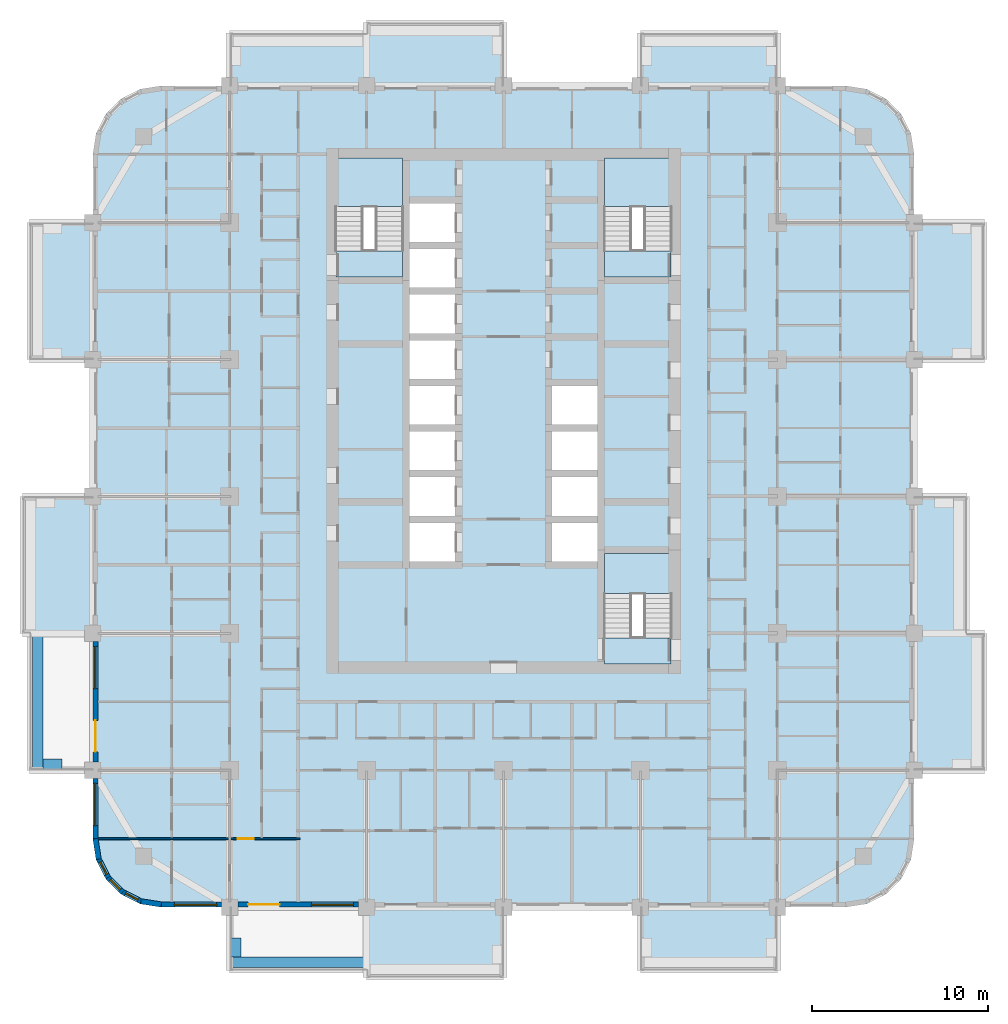
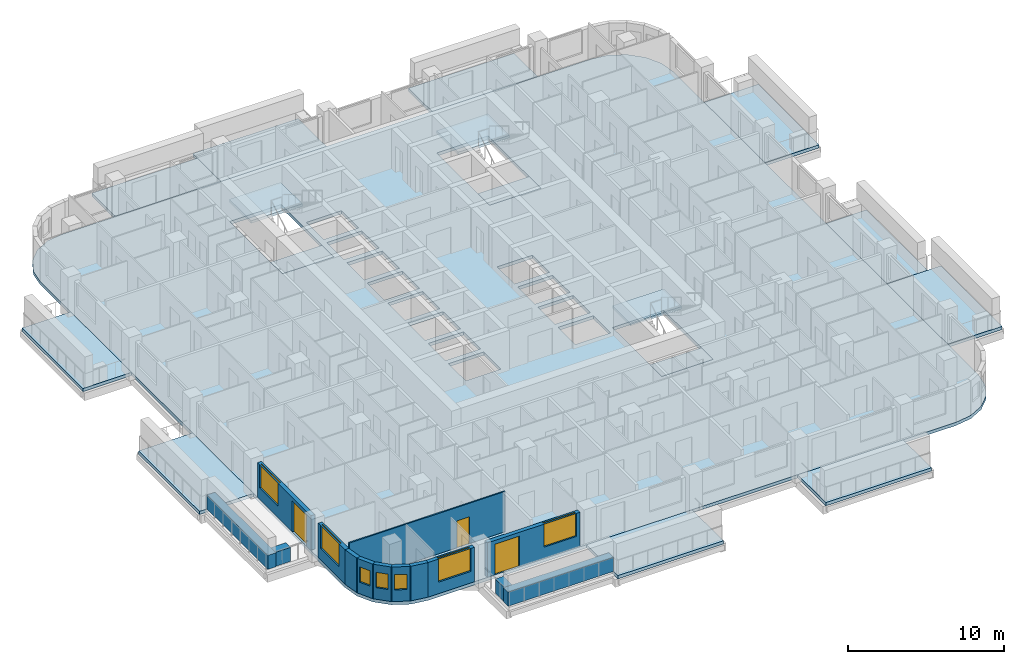
# One storey, part 2 of 18: 17 slabs, 14 walls, 7 windows, 3 doors, 10 openings, 3 elements without a shape of their own.
"""IFC4 building model written with IfcOpenShell, lengths in metres."""

from ifc_helpers import new_model, si_unit, direction, frame, frame_2d, origin, place, context, subcontext, project, spatial, polyline, rectangle, outline, extrude, material, layer, layer_set, type_object, element, fill, aggregate, save


model = new_model("IFC4")

# Units and contexts
model_context = context("Model", 3, precision=1e-05, world=origin(), true_north=direction((0.0, 1.0)))
body_context = subcontext(model_context, "Body", "Model", "MODEL_VIEW")
ifc_project = project(units=[si_unit("LENGTHUNIT", "METRE"), si_unit("AREAUNIT", "SQUARE_METRE"), si_unit("VOLUMEUNIT", "CUBIC_METRE"), si_unit("PLANEANGLEUNIT", "RADIAN"), si_unit("MASSUNIT", "GRAM", prefix="KILO")], contexts=[model_context])

# Site, building, storey
site_placement = place(None, origin())
site = spatial("IfcSite", under=ifc_project, at=site_placement, CompositionType="ELEMENT")
building_placement = place(site_placement, origin())
building = spatial("IfcBuilding", under=site, at=building_placement, Name="Ludao Terraces", CompositionType="ELEMENT")
storey_placement = place(building_placement, frame((0.0, 0.0, 64.800048828125)))
storey = spatial("IfcBuildingStorey", under=building, at=storey_placement, Name="L17", CompositionType="ELEMENT", Elevation=64.800048828125)

# Slabs
ifc_material_1 = material(Name="Concrete C40", Category="concrete")
ifc_layer_1 = layer(ifc_material_1, 0.25)
ifc_layer_set_1 = layer_set([ifc_layer_1], Name="Balcony slab 250 C40")
slab_type_1 = type_object("IfcSlabType", Name="Balcony slab 250 C40", PredefinedType="USERDEFINED", material=ifc_layer_set_1)
slab_1_placement = place(storey_placement, frame((0.0, 0.0, -0.25)))
element("IfcSlab", 1, at=slab_1_placement, inside=storey, type_object=slab_type_1, Name="Balcony L17 S2", ObjectType="BALCONY", PredefinedType="USERDEFINED", context=body_context, shape_type="SweptSolid", body=[
    extrude(outline(polyline([(77.199951171875, 37.60009765625), (85.0, 37.60009765625), (85.0, 41.60009765625), (77.199951171875, 41.60009765625), (77.199951171875, 37.60009765625)])), origin(), (0.0, 0.0, 1.0), 0.25),
])
slab_2_placement = place(storey_placement, frame((0.0, 0.0, -0.25)))
element("IfcSlab", 2, at=slab_2_placement, inside=storey, type_object=slab_type_1, Name="Balcony L17 S4", ObjectType="BALCONY", PredefinedType="USERDEFINED", context=body_context, shape_type="SweptSolid", body=[
    extrude(outline(polyline([(92.800048828125, 38.0), (100.60009765625, 38.0), (100.60009765625, 41.60009765625), (92.800048828125, 41.60009765625), (92.800048828125, 38.0)])), origin(), (0.0, 0.0, 1.0), 0.25),
])
slab_3_placement = place(storey_placement, frame((0.0, 0.0, -0.25)))
element("IfcSlab", 3, at=slab_3_placement, inside=storey, type_object=slab_type_1, Name="Balcony L17 E1", ObjectType="BALCONY", PredefinedType="USERDEFINED", context=body_context, shape_type="SweptSolid", body=[
    extrude(outline(polyline([(108.39990234375, 49.39990234375), (112.39990234375, 49.39990234375), (112.39990234375, 57.199951171875), (108.39990234375, 57.199951171875), (108.39990234375, 49.39990234375)])), origin(), (0.0, 0.0, 1.0), 0.25),
])
slab_4_placement = place(storey_placement, frame((0.0, 0.0, -0.25)))
element("IfcSlab", 4, at=slab_4_placement, inside=storey, type_object=slab_type_1, Name="Balcony L17 E2", ObjectType="BALCONY", PredefinedType="USERDEFINED", context=body_context, shape_type="SweptSolid", body=[
    extrude(outline(polyline([(108.39990234375, 57.199951171875), (111.39990234375, 57.199951171875), (111.39990234375, 65.0), (108.39990234375, 65.0), (108.39990234375, 57.199951171875)])), origin(), (0.0, 0.0, 1.0), 0.25),
])
slab_5_placement = place(storey_placement, frame((0.0, 0.0, -0.25)))
element("IfcSlab", 5, at=slab_5_placement, inside=storey, type_object=slab_type_1, Name="Balcony L17 E4", ObjectType="BALCONY", PredefinedType="USERDEFINED", context=body_context, shape_type="SweptSolid", body=[
    extrude(outline(polyline([(108.39990234375, 72.800048828125), (112.39990234375, 72.800048828125), (112.39990234375, 80.60009765625), (108.39990234375, 80.60009765625), (108.39990234375, 72.800048828125)])), origin(), (0.0, 0.0, 1.0), 0.25),
])
slab_6_placement = place(storey_placement, frame((0.0, 0.0, -0.25)))
element("IfcSlab", 6, at=slab_6_placement, inside=storey, type_object=slab_type_1, Name="Balcony L17 N1", ObjectType="BALCONY", PredefinedType="USERDEFINED", context=body_context, shape_type="SweptSolid", body=[
    extrude(outline(polyline([(69.39990234375, 88.39990234375), (77.199951171875, 88.39990234375), (77.199951171875, 91.39990234375), (69.39990234375, 91.39990234375), (69.39990234375, 88.39990234375)])), origin(), (0.0, 0.0, 1.0), 0.25),
])
slab_7_placement = place(storey_placement, frame((0.0, 0.0, -0.25)))
element("IfcSlab", 7, at=slab_7_placement, inside=storey, type_object=slab_type_1, Name="Balcony L17 N2", ObjectType="BALCONY", PredefinedType="USERDEFINED", context=body_context, shape_type="SweptSolid", body=[
    extrude(outline(polyline([(77.199951171875, 88.39990234375), (85.0, 88.39990234375), (85.0, 92.0), (77.199951171875, 92.0), (77.199951171875, 88.39990234375)])), origin(), (0.0, 0.0, 1.0), 0.25),
])
slab_8_placement = place(storey_placement, frame((0.0, 0.0, -0.25)))
element("IfcSlab", 8, at=slab_8_placement, inside=storey, type_object=slab_type_1, Name="Balcony L17 N4", ObjectType="BALCONY", PredefinedType="USERDEFINED", context=body_context, shape_type="SweptSolid", body=[
    extrude(outline(polyline([(92.800048828125, 88.39990234375), (100.60009765625, 88.39990234375), (100.60009765625, 91.39990234375), (92.800048828125, 91.39990234375), (92.800048828125, 88.39990234375)])), origin(), (0.0, 0.0, 1.0), 0.25),
])
slab_9_placement = place(storey_placement, frame((0.0, 0.0, -0.25)))
element("IfcSlab", 9, at=slab_9_placement, inside=storey, type_object=slab_type_1, Name="Balcony L17 W2", ObjectType="BALCONY", PredefinedType="USERDEFINED", context=body_context, shape_type="SweptSolid", body=[
    extrude(outline(polyline([(57.60009765625, 57.199951171875), (61.60009765625, 57.199951171875), (61.60009765625, 65.0), (57.60009765625, 65.0), (57.60009765625, 57.199951171875)])), origin(), (0.0, 0.0, 1.0), 0.25),
])
slab_10_placement = place(storey_placement, frame((0.0, 0.0, -0.25)))
element("IfcSlab", 10, at=slab_10_placement, inside=storey, type_object=slab_type_1, Name="Balcony L17 W4", ObjectType="BALCONY", PredefinedType="USERDEFINED", context=body_context, shape_type="SweptSolid", body=[
    extrude(outline(polyline([(58.0, 72.800048828125), (61.60009765625, 72.800048828125), (61.60009765625, 80.60009765625), (58.0, 80.60009765625), (58.0, 72.800048828125)])), origin(), (0.0, 0.0, 1.0), 0.25),
])
ifc_layer_2 = layer(ifc_material_1, 0.25)
ifc_layer_set_2 = layer_set([ifc_layer_2], Name="Floor slab 250 C40")
slab_type_2 = type_object("IfcSlabType", Name="Floor slab 250 C40", PredefinedType="FLOOR", material=ifc_layer_set_2)
slab_11_placement = place(storey_placement, frame((0.0, 0.0, -0.25)))
element("IfcSlab", 11, at=slab_11_placement, inside=storey, type_object=slab_type_2, Name="Slab L17", PredefinedType="FLOOR", context=body_context, shape_type="SweptSolid", body=[
    extrude(outline(polyline([(104.5, 41.60009765625), (105.705078125, 41.790771484375), (106.79248046875, 42.3447265625), (107.6552734375, 43.20751953125), (108.209228515625, 44.294921875), (108.39990234375, 45.5), (108.39990234375, 84.5), (108.209228515625, 85.705078125), (107.6552734375, 86.79248046875), (106.79248046875, 87.6552734375), (105.705078125, 88.209228515625), (104.5, 88.39990234375), (65.5, 88.39990234375), (64.294921875, 88.209228515625), (63.20751953125, 87.6552734375), (62.3447265625, 86.79248046875), (61.790771484375, 85.705078125), (61.60009765625, 84.5), (61.60009765625, 45.5), (61.790771484375, 44.294921875), (62.3447265625, 43.20751953125), (63.20751953125, 42.3447265625), (64.294921875, 41.790771484375), (65.5, 41.60009765625), (104.5, 41.60009765625)]), holes=[polyline([(79.64990234375, 61.300048828125), (82.25, 61.300048828125), (82.25, 63.5), (79.64990234375, 63.5), (79.64990234375, 61.300048828125)]), polyline([(79.64990234375, 63.89990234375), (82.25, 63.89990234375), (82.25, 66.10009765625), (79.64990234375, 66.10009765625), (79.64990234375, 63.89990234375)]), polyline([(79.64990234375, 66.5), (82.25, 66.5), (82.25, 68.699951171875), (79.64990234375, 68.699951171875), (79.64990234375, 66.5)]), polyline([(79.64990234375, 69.10009765625), (82.25, 69.10009765625), (82.25, 71.300048828125), (79.64990234375, 71.300048828125), (79.64990234375, 69.10009765625)]), polyline([(79.64990234375, 71.699951171875), (82.25, 71.699951171875), (82.25, 73.89990234375), (79.64990234375, 73.89990234375), (79.64990234375, 71.699951171875)]), polyline([(79.64990234375, 74.300048828125), (82.25, 74.300048828125), (82.25, 76.5), (79.64990234375, 76.5), (79.64990234375, 74.300048828125)]), polyline([(79.64990234375, 76.89990234375), (82.25, 76.89990234375), (82.25, 79.10009765625), (79.64990234375, 79.10009765625), (79.64990234375, 76.89990234375)]), polyline([(79.64990234375, 79.5), (82.25, 79.5), (82.25, 81.699951171875), (79.64990234375, 81.699951171875), (79.64990234375, 79.5)]), polyline([(87.75, 61.300048828125), (90.35009765625, 61.300048828125), (90.35009765625, 63.5), (87.75, 63.5), (87.75, 61.300048828125)]), polyline([(87.75, 63.89990234375), (90.35009765625, 63.89990234375), (90.35009765625, 66.10009765625), (87.75, 66.10009765625), (87.75, 63.89990234375)]), polyline([(87.75, 66.5), (90.35009765625, 66.5), (90.35009765625, 68.699951171875), (87.75, 68.699951171875), (87.75, 66.5)]), polyline([(87.75, 69.10009765625), (90.35009765625, 69.10009765625), (90.35009765625, 71.300048828125), (87.75, 71.300048828125), (87.75, 69.10009765625)]), polyline([(75.449951171875, 77.5), (79.25, 77.5), (79.25, 84.239990234375), (75.449951171875, 84.239990234375), (75.449951171875, 77.5)]), polyline([(90.75, 77.5), (94.550048828125, 77.5), (94.550048828125, 84.239990234375), (90.75, 84.239990234375), (90.75, 77.5)]), polyline([(90.75, 55.449951171875), (94.550048828125, 55.449951171875), (94.550048828125, 61.75), (90.75, 61.75), (90.75, 55.449951171875)])]), origin(), (0.0, 0.0, 1.0), 0.25),
])

# Stair, slabs
stair_type = type_object("IfcStairType", Name="INT Stair", PredefinedType="HALF_TURN_STAIR", material=ifc_material_1)
stair_1_placement = place(storey_placement, origin())
stair_1 = element("IfcStair", 12, at=stair_1_placement, inside=storey, type_object=stair_type, Name="EXIT STAIR 1", PredefinedType="HALF_TURN_STAIR")
ifc_layer_3 = layer(ifc_material_1, 0.199951171875)
ifc_layer_set_3 = layer_set([ifc_layer_3], Name="INT Stair landing 200")
slab_type_3 = type_object("IfcSlabType", Name="INT Stair landing 200", PredefinedType="LANDING", material=ifc_layer_set_3)
slab_12_placement = place(storey_placement, frame((0.0, 0.0, 1.5)))
slab_12 = element("IfcSlab", 13, at=slab_12_placement, type_object=slab_type_3, Name="ST1 landing 1", PredefinedType="LANDING", context=body_context, shape_type="SweptSolid", body=[
    extrude(outline(polyline([(75.449951171875, 81.52001953125), (79.25, 81.52001953125), (79.25, 84.300048828125), (75.449951171875, 84.300048828125), (75.449951171875, 81.52001953125)])), origin(), (0.0, 0.0, 1.0), 0.199951171875),
])
slab_13_placement = place(storey_placement, frame((0.0, 0.0, -0.199951171875)))
slab_13 = element("IfcSlab", 14, at=slab_13_placement, type_object=slab_type_3, Name="ST1 landing 2", PredefinedType="LANDING", context=body_context, shape_type="SweptSolid", body=[
    extrude(outline(polyline([(75.449951171875, 77.5), (79.25, 77.5), (79.25, 79.0), (75.449951171875, 79.0), (75.449951171875, 77.5)])), origin(), (0.0, 0.0, 1.0), 0.199951171875),
])
aggregate(stair_1, [slab_12, slab_13])

stair_2_placement = place(storey_placement, origin())
stair_2 = element("IfcStair", 15, at=stair_2_placement, inside=storey, type_object=stair_type, Name="EXIT STAIR 2", PredefinedType="HALF_TURN_STAIR")
slab_14_placement = place(storey_placement, frame((0.0, 0.0, 1.5)))
slab_14 = element("IfcSlab", 16, at=slab_14_placement, type_object=slab_type_3, Name="ST2 landing 1", PredefinedType="LANDING", context=body_context, shape_type="SweptSolid", body=[
    extrude(outline(polyline([(90.75, 81.52001953125), (94.550048828125, 81.52001953125), (94.550048828125, 84.300048828125), (90.75, 84.300048828125), (90.75, 81.52001953125)])), origin(), (0.0, 0.0, 1.0), 0.199951171875),
])
slab_15_placement = place(storey_placement, frame((0.0, 0.0, -0.199951171875)))
slab_15 = element("IfcSlab", 17, at=slab_15_placement, type_object=slab_type_3, Name="ST2 landing 2", PredefinedType="LANDING", context=body_context, shape_type="SweptSolid", body=[
    extrude(outline(polyline([(90.75, 77.5), (94.550048828125, 77.5), (94.550048828125, 79.0), (90.75, 79.0), (90.75, 77.5)])), origin(), (0.0, 0.0, 1.0), 0.199951171875),
])
aggregate(stair_2, [slab_14, slab_15])

stair_3_placement = place(storey_placement, origin())
stair_3 = element("IfcStair", 18, at=stair_3_placement, inside=storey, type_object=stair_type, Name="EXIT STAIR 3", PredefinedType="HALF_TURN_STAIR")
slab_16_placement = place(storey_placement, frame((0.0, 0.0, 1.5)))
slab_16 = element("IfcSlab", 19, at=slab_16_placement, type_object=slab_type_3, Name="ST3 landing 1", PredefinedType="LANDING", context=body_context, shape_type="SweptSolid", body=[
    extrude(outline(polyline([(90.75, 59.469970703125), (94.550048828125, 59.469970703125), (94.550048828125, 61.75), (90.75, 61.75), (90.75, 59.469970703125)])), origin(), (0.0, 0.0, 1.0), 0.199951171875),
])
slab_17_placement = place(storey_placement, frame((0.0, 0.0, -0.199951171875)))
slab_17 = element("IfcSlab", 20, at=slab_17_placement, type_object=slab_type_3, Name="ST3 landing 2", PredefinedType="LANDING", context=body_context, shape_type="SweptSolid", body=[
    extrude(outline(polyline([(90.75, 55.449951171875), (94.550048828125, 55.449951171875), (94.550048828125, 56.949951171875), (90.75, 56.949951171875), (90.75, 55.449951171875)])), origin(), (0.0, 0.0, 1.0), 0.199951171875),
])
aggregate(stair_3, [slab_16, slab_17])

# Walls
ifc_layer_4 = layer(ifc_material_1, 0.60009765625)
ifc_layer_set_4 = layer_set([ifc_layer_4], Name="ENV Planter trough 600")
wall_type_1 = type_object("IfcWallType", Name="ENV Planter trough 600", PredefinedType="USERDEFINED", material=ifc_layer_set_4)
wall_1_placement = place(storey_placement, frame((69.39990234375, 38.449951171875, 0.0), z_axis=(0.0, 0.0, 1.0), x_axis=(1.0, 0.0, 0.0)))
element("IfcWall", 21, at=wall_1_placement, inside=storey, type_object=wall_type_1, Name="PL-L17-S1", ObjectType="PLANTER", PredefinedType="USERDEFINED", context=body_context, shape_type="SweptSolid", body=[
    extrude(rectangle(XDim=7.800048828125, YDim=0.60009765625, at=frame_2d((3.89990234375, 0.0))), origin(), (0.0, 0.0, 1.0), 1.099853515625),
])
wall_2_placement = place(storey_placement, frame((69.75, 38.75, 0.0), z_axis=(0.0, 0.0, 1.0), x_axis=(0.0, 1.0, 0.0)))
element("IfcWall", 22, at=wall_2_placement, inside=storey, type_object=wall_type_1, Name="PL-L17-S1-SA", ObjectType="PLANTER", PredefinedType="USERDEFINED", context=body_context, shape_type="SweptSolid", body=[
    extrude(rectangle(XDim=1.10009765625, YDim=0.60009765625, at=frame_2d((0.550048828125, 0.0))), origin(), (0.0, 0.0, 1.0), 1.099853515625),
])
wall_3_placement = place(storey_placement, frame((58.449951171875, 49.39990234375, 0.0), z_axis=(0.0, 0.0, 1.0), x_axis=(0.0, 1.0, 0.0)))
element("IfcWall", 23, at=wall_3_placement, inside=storey, type_object=wall_type_1, Name="PL-L17-W1", ObjectType="PLANTER", PredefinedType="USERDEFINED", context=body_context, shape_type="SweptSolid", body=[
    extrude(rectangle(XDim=7.800048828125, YDim=0.60009765625, at=frame_2d((3.89990234375, 0.0))), origin(), (0.0, 0.0, 1.0), 1.099853515625),
])
wall_4_placement = place(storey_placement, frame((58.75, 49.75, 0.0), z_axis=(0.0, 0.0, 1.0), x_axis=(1.0, 0.0, 0.0)))
element("IfcWall", 24, at=wall_4_placement, inside=storey, type_object=wall_type_1, Name="PL-L17-W1-SA", ObjectType="PLANTER", PredefinedType="USERDEFINED", context=body_context, shape_type="SweptSolid", body=[
    extrude(rectangle(XDim=1.10009765625, YDim=0.60009765625, at=frame_2d((0.550048828125, 0.0))), origin(), (0.0, 0.0, 1.0), 1.099853515625),
])

# Wall, opening, window
ifc_material_2 = material(Name="Granite cladding", Category="masonry")
ifc_layer_5 = layer(ifc_material_2, 0.0400390625, Category="stone")
ifc_material_3 = material(Name="Mineral wool")
ifc_layer_6 = layer(ifc_material_3, 0.06005859375)
ifc_layer_7 = layer(ifc_material_1, 0.199951171875, Category="concrete")
ifc_layer_set_5 = layer_set([ifc_layer_5, ifc_layer_6, ifc_layer_7], Name="ENV Stone-clad wall 300")
wall_type_2 = type_object("IfcWallType", Name="ENV Stone-clad wall 300", PredefinedType="SOLIDWALL", material=ifc_layer_set_5)
wall_5_placement = place(storey_placement, frame((65.5, 41.75, 0.0), z_axis=(0.0, 0.0, 1.0), x_axis=(1.0, 0.0, 0.0)))
wall_5 = element("IfcWall", 25, at=wall_5_placement, inside=storey, type_object=wall_type_2, Name="EW-L17-S1", PredefinedType="SOLIDWALL", context=body_context, shape_type="SweptSolid", body=[
    extrude(rectangle(XDim=3.425048828125, YDim=0.300048828125, at=frame_2d((1.71240234375, 0.0))), origin(), (0.0, 0.0, 1.0), 2.699951171875),
])
opening_1_placement = place(wall_5_placement, frame((0.75, 0.0, 0.89990234375)))
opening_1 = element("IfcOpeningElement", 26, at=opening_1_placement, cuts=wall_5, Name="Opening W1", PredefinedType="OPENING", context=body_context, shape_type="SweptSolid", body=[
    extrude(rectangle(XDim=2.39990234375, YDim=1.800048828125, at=frame_2d((1.199951171875, 0.89990234375))), frame((0.0, 0.16015625, 0.0), z_axis=(0.0, -1.0, 0.0), x_axis=(1.0, 0.0, 0.0)), (0.0, 0.0, 1.0), 0.320068359375),
])
ifc_material_4 = material(Name="Clear glass in aluminium frame", Category="aluminium")
ifc_layer_8 = layer(ifc_material_4, 0.06005859375)
ifc_layer_set_6 = layer_set([ifc_layer_8], Name="ENV Window W1 2400x1800")
window_type_1 = type_object("IfcWindowType", Name="ENV Window W1 2400x1800", PartitioningType="DOUBLE_PANEL_VERTICAL", PredefinedType="WINDOW", material=ifc_layer_set_6)
window_1_placement = place(opening_1_placement, origin())
window_1 = element("IfcWindow", 27, at=window_1_placement, inside=storey, type_object=window_type_1, Name="W-L17-S1-1", OverallHeight=1.800048828125, OverallWidth=2.39990234375, PartitioningType="DOUBLE_PANEL_VERTICAL", PredefinedType="WINDOW", context=body_context, shape_type="SweptSolid", body=[
    extrude(rectangle(XDim=2.39990234375, YDim=1.800048828125, at=frame_2d((1.199951171875, 0.89990234375))), frame((0.0, 0.030029296875, 0.0), z_axis=(0.0, -1.0, 0.0), x_axis=(1.0, 0.0, 0.0)), (0.0, 0.0, 1.0), 0.06005859375),
])
fill(opening_1, window_1)

# Wall, openings, door, window
wall_6_placement = place(storey_placement, frame((69.875, 41.75, 0.0), z_axis=(0.0, 0.0, 1.0), x_axis=(1.0, 0.0, 0.0)))
wall_6 = element("IfcWall", 28, at=wall_6_placement, inside=storey, type_object=wall_type_2, Name="EW-L17-S2", PredefinedType="SOLIDWALL", context=body_context, shape_type="SweptSolid", body=[
    extrude(rectangle(XDim=6.85009765625, YDim=0.300048828125, at=frame_2d((3.425048828125, 0.0))), origin(), (0.0, 0.0, 1.0), 2.699951171875),
])
opening_2_placement = place(wall_6_placement, frame((0.574951171875, 0.0, 0.0)))
opening_2 = element("IfcOpeningElement", 29, at=opening_2_placement, cuts=wall_6, Name="Opening BD", PredefinedType="OPENING", context=body_context, shape_type="SweptSolid", body=[
    extrude(rectangle(XDim=1.800048828125, YDim=2.39990234375, at=frame_2d((0.89990234375, 1.199951171875))), frame((0.0, 0.16015625, 0.0), z_axis=(0.0, -1.0, 0.0), x_axis=(1.0, 0.0, 0.0)), (0.0, 0.0, 1.0), 0.320068359375),
])
opening_3_placement = place(wall_6_placement, frame((4.175048828125, 0.0, 0.89990234375)))
opening_3 = element("IfcOpeningElement", 30, at=opening_3_placement, cuts=wall_6, Name="Opening W1", PredefinedType="OPENING", context=body_context, shape_type="SweptSolid", body=[
    extrude(rectangle(XDim=2.39990234375, YDim=1.800048828125, at=frame_2d((1.199951171875, 0.89990234375))), frame((0.0, 0.16015625, 0.0), z_axis=(0.0, -1.0, 0.0), x_axis=(1.0, 0.0, 0.0)), (0.0, 0.0, 1.0), 0.320068359375),
])
ifc_material_5 = material(Name="Aluminium glazed door", Category="aluminium")
ifc_layer_9 = layer(ifc_material_5, 0.06005859375)
ifc_layer_set_7 = layer_set([ifc_layer_9], Name="ENV Balcony door BD 1800x2400")
door_type_1 = type_object("IfcDoorType", Name="ENV Balcony door BD 1800x2400", OperationType="DOUBLE_DOOR_SINGLE_SWING", PredefinedType="DOOR", material=ifc_layer_set_7)
door_1_placement = place(opening_2_placement, origin())
door_1 = element("IfcDoor", 31, at=door_1_placement, inside=storey, type_object=door_type_1, Name="BD-L17-S2-1", OperationType="DOUBLE_DOOR_SINGLE_SWING", OverallHeight=2.39990234375, OverallWidth=1.800048828125, PredefinedType="DOOR", context=body_context, shape_type="SweptSolid", body=[
    extrude(rectangle(XDim=1.800048828125, YDim=2.39990234375, at=frame_2d((0.89990234375, 1.199951171875))), frame((0.0, 0.02490234375, 0.0), z_axis=(0.0, -1.0, 0.0), x_axis=(1.0, 0.0, 0.0)), (0.0, 0.0, 1.0), 0.050048828125),
])
fill(opening_2, door_1)
window_2_placement = place(opening_3_placement, origin())
window_2 = element("IfcWindow", 32, at=window_2_placement, inside=storey, type_object=window_type_1, Name="W-L17-S2-2", OverallHeight=1.800048828125, OverallWidth=2.39990234375, PartitioningType="DOUBLE_PANEL_VERTICAL", PredefinedType="WINDOW", context=body_context, shape_type="SweptSolid", body=[
    extrude(rectangle(XDim=2.39990234375, YDim=1.800048828125, at=frame_2d((1.199951171875, 0.89990234375))), frame((0.0, 0.030029296875, 0.0), z_axis=(0.0, -1.0, 0.0), x_axis=(1.0, 0.0, 0.0)), (0.0, 0.0, 1.0), 0.06005859375),
])
fill(opening_3, window_2)

# Wall, opening, window
wall_7_placement = place(storey_placement, frame((61.75, 45.5, 0.0), z_axis=(0.0, 0.0, 1.0), x_axis=(0.0, 1.0, 0.0)))
wall_7 = element("IfcWall", 33, at=wall_7_placement, inside=storey, type_object=wall_type_2, Name="EW-L17-W1", PredefinedType="SOLIDWALL", context=body_context, shape_type="SweptSolid", body=[
    extrude(rectangle(XDim=3.425048828125, YDim=0.300048828125, at=frame_2d((1.71240234375, 0.0))), origin(), (0.0, 0.0, 1.0), 2.699951171875),
])
opening_4_placement = place(wall_7_placement, frame((0.75, 0.0, 0.89990234375)))
opening_4 = element("IfcOpeningElement", 34, at=opening_4_placement, cuts=wall_7, Name="Opening W1", PredefinedType="OPENING", context=body_context, shape_type="SweptSolid", body=[
    extrude(rectangle(XDim=2.39990234375, YDim=1.800048828125, at=frame_2d((1.199951171875, 0.89990234375))), frame((0.0, 0.16015625, 0.0), z_axis=(0.0, -1.0, 0.0), x_axis=(1.0, 0.0, 0.0)), (0.0, 0.0, 1.0), 0.320068359375),
])
window_3_placement = place(opening_4_placement, origin())
window_3 = element("IfcWindow", 35, at=window_3_placement, inside=storey, type_object=window_type_1, Name="W-L17-W1-1", OverallHeight=1.800048828125, OverallWidth=2.39990234375, PartitioningType="DOUBLE_PANEL_VERTICAL", PredefinedType="WINDOW", context=body_context, shape_type="SweptSolid", body=[
    extrude(rectangle(XDim=2.39990234375, YDim=1.800048828125, at=frame_2d((1.199951171875, 0.89990234375))), frame((0.0, 0.030029296875, 0.0), z_axis=(0.0, -1.0, 0.0), x_axis=(1.0, 0.0, 0.0)), (0.0, 0.0, 1.0), 0.06005859375),
])
fill(opening_4, window_3)

# Wall, openings, door, window
wall_8_placement = place(storey_placement, frame((61.75, 49.875, 0.0), z_axis=(0.0, 0.0, 1.0), x_axis=(0.0, 1.0, 0.0)))
wall_8 = element("IfcWall", 36, at=wall_8_placement, inside=storey, type_object=wall_type_2, Name="EW-L17-W2", PredefinedType="SOLIDWALL", context=body_context, shape_type="SweptSolid", body=[
    extrude(rectangle(XDim=6.85009765625, YDim=0.300048828125, at=frame_2d((3.425048828125, 0.0))), origin(), (0.0, 0.0, 1.0), 2.699951171875),
])
opening_5_placement = place(wall_8_placement, frame((0.574951171875, 0.0, 0.0)))
opening_5 = element("IfcOpeningElement", 37, at=opening_5_placement, cuts=wall_8, Name="Opening BD", PredefinedType="OPENING", context=body_context, shape_type="SweptSolid", body=[
    extrude(rectangle(XDim=1.800048828125, YDim=2.39990234375, at=frame_2d((0.89990234375, 1.199951171875))), frame((0.0, 0.16015625, 0.0), z_axis=(0.0, -1.0, 0.0), x_axis=(1.0, 0.0, 0.0)), (0.0, 0.0, 1.0), 0.320068359375),
])
opening_6_placement = place(wall_8_placement, frame((4.175048828125, 0.0, 0.89990234375)))
opening_6 = element("IfcOpeningElement", 38, at=opening_6_placement, cuts=wall_8, Name="Opening W1", PredefinedType="OPENING", context=body_context, shape_type="SweptSolid", body=[
    extrude(rectangle(XDim=2.39990234375, YDim=1.800048828125, at=frame_2d((1.199951171875, 0.89990234375))), frame((0.0, 0.16015625, 0.0), z_axis=(0.0, -1.0, 0.0), x_axis=(1.0, 0.0, 0.0)), (0.0, 0.0, 1.0), 0.320068359375),
])
door_2_placement = place(opening_5_placement, origin())
door_2 = element("IfcDoor", 39, at=door_2_placement, inside=storey, type_object=door_type_1, Name="BD-L17-W2-1", OperationType="DOUBLE_DOOR_SINGLE_SWING", OverallHeight=2.39990234375, OverallWidth=1.800048828125, PredefinedType="DOOR", context=body_context, shape_type="SweptSolid", body=[
    extrude(rectangle(XDim=1.800048828125, YDim=2.39990234375, at=frame_2d((0.89990234375, 1.199951171875))), frame((0.0, 0.02490234375, 0.0), z_axis=(0.0, -1.0, 0.0), x_axis=(1.0, 0.0, 0.0)), (0.0, 0.0, 1.0), 0.050048828125),
])
fill(opening_5, door_2)
window_4_placement = place(opening_6_placement, origin())
window_4 = element("IfcWindow", 40, at=window_4_placement, inside=storey, type_object=window_type_1, Name="W-L17-W2-2", OverallHeight=1.800048828125, OverallWidth=2.39990234375, PartitioningType="DOUBLE_PANEL_VERTICAL", PredefinedType="WINDOW", context=body_context, shape_type="SweptSolid", body=[
    extrude(rectangle(XDim=2.39990234375, YDim=1.800048828125, at=frame_2d((1.199951171875, 0.89990234375))), frame((0.0, 0.030029296875, 0.0), z_axis=(0.0, -1.0, 0.0), x_axis=(1.0, 0.0, 0.0)), (0.0, 0.0, 1.0), 0.06005859375),
])
fill(opening_6, window_4)

# Wall
wall_9_placement = place(storey_placement, frame((61.75, 45.5, 0.0), z_axis=(0.0, 0.0, 1.0), x_axis=(0.156496880861, -0.987678452879, 0.0)))
element("IfcWall", 41, at=wall_9_placement, inside=storey, type_object=wall_type_2, Name="EW-L17-SW1", PredefinedType="SOLIDWALL", context=body_context, shape_type="SweptSolid", body=[
    extrude(rectangle(XDim=1.173095703125, YDim=0.300048828125, at=frame_2d((0.58642578125, 0.0))), origin(), (0.0, 0.0, 1.0), 2.699951171875),
])

# Wall, opening, window
wall_10_placement = place(storey_placement, frame((61.93359375, 44.34130859375, 0.0), z_axis=(0.0, 0.0, 1.0), x_axis=(0.454025524128, -0.890988677504, 0.0)))
wall_10 = element("IfcWall", 42, at=wall_10_placement, inside=storey, type_object=wall_type_2, Name="EW-L17-SW2", PredefinedType="SOLIDWALL", context=body_context, shape_type="SweptSolid", body=[
    extrude(rectangle(XDim=1.17333984375, YDim=0.300048828125, at=frame_2d((0.586669921875, 0.0))), origin(), (0.0, 0.0, 1.0), 2.699951171875),
])
opening_7_placement = place(wall_10_placement, frame((0.1865234375, 0.0, 0.89990234375)))
opening_7 = element("IfcOpeningElement", 43, at=opening_7_placement, cuts=wall_10, Name="Opening W3", PredefinedType="OPENING", context=body_context, shape_type="SweptSolid", body=[
    extrude(rectangle(XDim=0.800048828125, YDim=1.199951171875, at=frame_2d((0.39990234375, 0.60009765625))), frame((0.0, 0.16015625, 0.0), z_axis=(0.0, -1.0, 0.0), x_axis=(1.0, 0.0, 0.0)), (0.0, 0.0, 1.0), 0.320068359375),
])
ifc_layer_10 = layer(ifc_material_4, 0.06005859375)
ifc_layer_set_8 = layer_set([ifc_layer_10], Name="ENV Window W3 800x1200")
window_type_2 = type_object("IfcWindowType", Name="ENV Window W3 800x1200", PartitioningType="SINGLE_PANEL", PredefinedType="WINDOW", material=ifc_layer_set_8)
window_5_placement = place(opening_7_placement, origin())
window_5 = element("IfcWindow", 44, at=window_5_placement, inside=storey, type_object=window_type_2, Name="W-L17-SW2", OverallHeight=1.199951171875, OverallWidth=0.800048828125, PartitioningType="SINGLE_PANEL", PredefinedType="WINDOW", context=body_context, shape_type="SweptSolid", body=[
    extrude(rectangle(XDim=0.800048828125, YDim=1.199951171875, at=frame_2d((0.39990234375, 0.60009765625))), frame((0.0, 0.030029296875, 0.0), z_axis=(0.0, -1.0, 0.0), x_axis=(1.0, 0.0, 0.0)), (0.0, 0.0, 1.0), 0.06005859375),
])
fill(opening_7, window_5)

wall_11_placement = place(storey_placement, frame((62.46630859375, 43.2958984375, 0.0), z_axis=(0.0, 0.0, 1.0), x_axis=(0.707106781187, -0.707106781187, 0.0)))
wall_11 = element("IfcWall", 45, at=wall_11_placement, inside=storey, type_object=wall_type_2, Name="EW-L17-SW3", PredefinedType="SOLIDWALL", context=body_context, shape_type="SweptSolid", body=[
    extrude(rectangle(XDim=1.173095703125, YDim=0.300048828125, at=frame_2d((0.58642578125, 0.0))), origin(), (0.0, 0.0, 1.0), 2.699951171875),
])
opening_8_placement = place(wall_11_placement, frame((0.1865234375, 0.0, 0.89990234375)))
opening_8 = element("IfcOpeningElement", 46, at=opening_8_placement, cuts=wall_11, Name="Opening W3", PredefinedType="OPENING", context=body_context, shape_type="SweptSolid", body=[
    extrude(rectangle(XDim=0.800048828125, YDim=1.199951171875, at=frame_2d((0.39990234375, 0.60009765625))), frame((0.0, 0.16015625, 0.0), z_axis=(0.0, -1.0, 0.0), x_axis=(1.0, 0.0, 0.0)), (0.0, 0.0, 1.0), 0.320068359375),
])
window_6_placement = place(opening_8_placement, origin())
window_6 = element("IfcWindow", 47, at=window_6_placement, inside=storey, type_object=window_type_2, Name="W-L17-SW3", OverallHeight=1.199951171875, OverallWidth=0.800048828125, PartitioningType="SINGLE_PANEL", PredefinedType="WINDOW", context=body_context, shape_type="SweptSolid", body=[
    extrude(rectangle(XDim=0.800048828125, YDim=1.199951171875, at=frame_2d((0.39990234375, 0.60009765625))), frame((0.0, 0.030029296875, 0.0), z_axis=(0.0, -1.0, 0.0), x_axis=(1.0, 0.0, 0.0)), (0.0, 0.0, 1.0), 0.06005859375),
])
fill(opening_8, window_6)

wall_12_placement = place(storey_placement, frame((63.2958984375, 42.46630859375, 0.0), z_axis=(0.0, 0.0, 1.0), x_axis=(0.890988677504, -0.454025524128, 0.0)))
wall_12 = element("IfcWall", 48, at=wall_12_placement, inside=storey, type_object=wall_type_2, Name="EW-L17-SW4", PredefinedType="SOLIDWALL", context=body_context, shape_type="SweptSolid", body=[
    extrude(rectangle(XDim=1.17333984375, YDim=0.300048828125, at=frame_2d((0.586669921875, 0.0))), origin(), (0.0, 0.0, 1.0), 2.699951171875),
])
opening_9_placement = place(wall_12_placement, frame((0.1865234375, 0.0, 0.89990234375)))
opening_9 = element("IfcOpeningElement", 49, at=opening_9_placement, cuts=wall_12, Name="Opening W3", PredefinedType="OPENING", context=body_context, shape_type="SweptSolid", body=[
    extrude(rectangle(XDim=0.800048828125, YDim=1.199951171875, at=frame_2d((0.39990234375, 0.60009765625))), frame((0.0, 0.16015625, 0.0), z_axis=(0.0, -1.0, 0.0), x_axis=(1.0, 0.0, 0.0)), (0.0, 0.0, 1.0), 0.320068359375),
])
window_7_placement = place(opening_9_placement, origin())
window_7 = element("IfcWindow", 50, at=window_7_placement, inside=storey, type_object=window_type_2, Name="W-L17-SW4", OverallHeight=1.199951171875, OverallWidth=0.800048828125, PartitioningType="SINGLE_PANEL", PredefinedType="WINDOW", context=body_context, shape_type="SweptSolid", body=[
    extrude(rectangle(XDim=0.800048828125, YDim=1.199951171875, at=frame_2d((0.39990234375, 0.60009765625))), frame((0.0, 0.030029296875, 0.0), z_axis=(0.0, -1.0, 0.0), x_axis=(1.0, 0.0, 0.0)), (0.0, 0.0, 1.0), 0.06005859375),
])
fill(opening_9, window_7)

# Wall
wall_13_placement = place(storey_placement, frame((64.34130859375, 41.93359375, 0.0), z_axis=(0.0, 0.0, 1.0), x_axis=(0.987678452879, -0.156496880861, 0.0)))
element("IfcWall", 51, at=wall_13_placement, inside=storey, type_object=wall_type_2, Name="EW-L17-SW5", PredefinedType="SOLIDWALL", context=body_context, shape_type="SweptSolid", body=[
    extrude(rectangle(XDim=1.173095703125, YDim=0.300048828125, at=frame_2d((0.58642578125, 0.0))), origin(), (0.0, 0.0, 1.0), 2.699951171875),
])

# Wall, opening, door
ifc_material_6 = material(Name="Gypsum plasterboard", Category="gypsum")
ifc_layer_11 = layer(ifc_material_6, 0.012451171875, Category="gypsum")
ifc_layer_12 = layer(ifc_material_3, 0.06005859375, Name="insulation")
ifc_material_7 = material(Name="Steel Q235", Category="steel")
ifc_layer_13 = layer(ifc_material_7, 0.014892578125, Name="stud")
ifc_layer_14 = layer(ifc_material_6, 0.012451171875, Category="gypsum")
ifc_layer_set_9 = layer_set([ifc_layer_11, ifc_layer_12, ifc_layer_13, ifc_layer_14], Name="INT Partition 100")
wall_type_3 = type_object("IfcWallType", Name="INT Partition 100", PredefinedType="PARTITIONING", material=ifc_layer_set_9)
wall_14_placement = place(storey_placement, frame((61.900146484375, 45.5, 0.0), z_axis=(0.0, 0.0, 1.0), x_axis=(1.0, 0.0, 0.0)))
wall_14 = element("IfcWall", 52, at=wall_14_placement, inside=storey, type_object=wall_type_3, Name="PW-L17-PW000", PredefinedType="PARTITIONING", context=body_context, shape_type="SweptSolid", body=[
    extrude(rectangle(XDim=11.5, YDim=0.10009765625, at=frame_2d((5.75, 0.0))), origin(), (0.0, 0.0, 1.0), 3.14990234375),
])
opening_10_placement = place(wall_14_placement, frame((7.965087890625, 0.0, 0.0)))
opening_10 = element("IfcOpeningElement", 53, at=opening_10_placement, cuts=wall_14, Name="Opening R05-005", PredefinedType="OPENING", context=body_context, shape_type="SweptSolid", body=[
    extrude(rectangle(XDim=0.89990234375, YDim=2.10009765625, at=frame_2d((0.449951171875, 1.050048828125))), frame((0.0, 0.06005859375, 0.0), z_axis=(0.0, -1.0, 0.0), x_axis=(1.0, 0.0, 0.0)), (0.0, 0.0, 1.0), 0.1201171875),
])
ifc_material_8 = material(Name="Timber door leaf", Category="wood")
door_type_2 = type_object("IfcDoorType", Name="INT Room door 900", OperationType="SINGLE_SWING_LEFT", PredefinedType="DOOR", material=ifc_material_8)
door_3_placement = place(opening_10_placement, origin())
door_3 = element("IfcDoor", 54, at=door_3_placement, inside=storey, type_object=door_type_2, Name="DOOR 005", OperationType="SINGLE_SWING_LEFT", OverallHeight=2.10009765625, OverallWidth=0.89990234375, PredefinedType="DOOR", context=body_context, shape_type="SweptSolid", body=[
    extrude(rectangle(XDim=0.89990234375, YDim=2.10009765625, at=frame_2d((0.449951171875, 1.050048828125))), frame((0.0, 0.02490234375, 0.0), z_axis=(0.0, -1.0, 0.0), x_axis=(1.0, 0.0, 0.0)), (0.0, 0.0, 1.0), 0.050048828125),
])
fill(opening_10, door_3)

save(model, "model.ifc")
